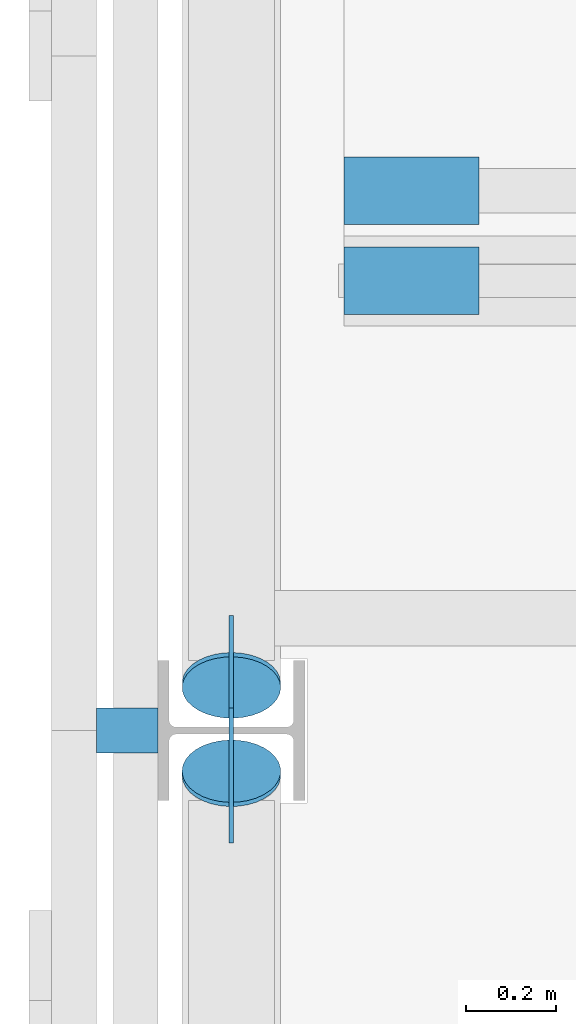
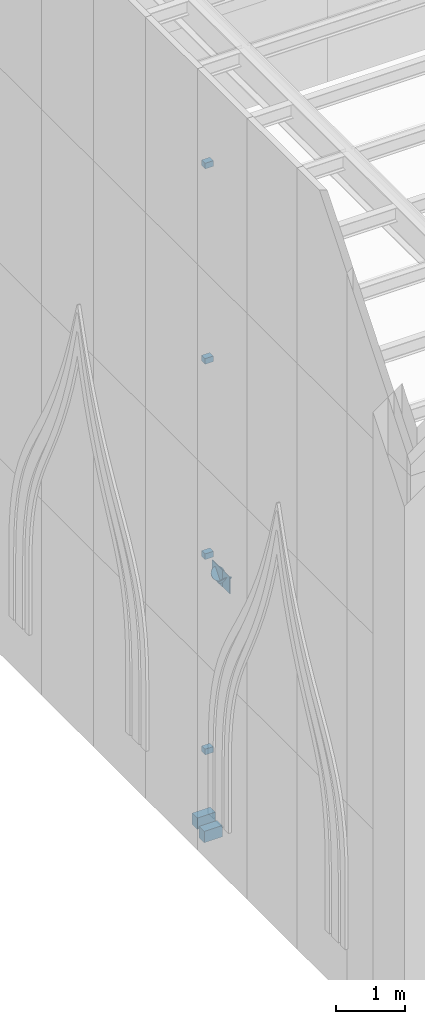
# One storey, part 18 of 43: 10 discrete accessories.
"""IFC4 building model written with IfcOpenShell, lengths in metres."""

from ifc_helpers import new_model, si_unit, direction, frame, origin, origin_2d, place, context, subcontext, project, spatial, rectangle, circle, extrude, material, material_profile, profile_set, type_object, element, save


model = new_model("IFC4")

# Units and contexts
model_context = context("Model", 3, precision=1e-05, world=origin(), true_north=direction((0.0, 1.0)))
body_context = subcontext(model_context, "Body", "Model", "MODEL_VIEW")
ifc_project = project(units=[si_unit("LENGTHUNIT", "METRE"), si_unit("AREAUNIT", "SQUARE_METRE"), si_unit("VOLUMEUNIT", "CUBIC_METRE"), si_unit("PLANEANGLEUNIT", "RADIAN"), si_unit("MASSUNIT", "GRAM", prefix="KILO")], contexts=[model_context])

# Site, building, storey
site_placement = place(None, origin())
site = spatial("IfcSite", under=ifc_project, at=site_placement, CompositionType="ELEMENT")
building_placement = place(site_placement, origin())
building = spatial("IfcBuilding", under=site, at=building_placement, Name="Saffron Lane Theatres", CompositionType="ELEMENT")
storey_placement = place(building_placement, frame((0.0, 0.0, 23.0)))
storey = spatial("IfcBuildingStorey", under=building, at=storey_placement, Name="Roof", CompositionType="ELEMENT", Elevation=23.0)

# Discrete accessories
ifc_material_1 = material(Name="Steel Grade 350", Category="steel")
ifc_material_profile_1 = material_profile(ifc_material_1, rectangle(XDim=0.300048828125, YDim=0.300048828125, at=origin_2d()))
ifc_profile_set_1 = profile_set([ifc_material_profile_1], Name="Steel Grade 350")
discrete_accessory_type_1 = type_object("IfcDiscreteAccessoryType", Name="ST-GUSSET CONNECTION PLATE", PredefinedType="BRACKET", material=ifc_profile_set_1)
for number, where, z_axis, x_axis, name in (
    (1, (18.2451171875, 35.900634765625, 4.766357421875), (1.0, 0.0, 0.0), (0.0, 1.0, 0.0), "GB138"),
    (2, (18.2451171875, 36.10546875, 4.764892578125), (1.0, 0.0, 0.0), (0.0, 1.0, 0.0), "GB142"),
):
    element("IfcDiscreteAccessory", number, at=place(storey_placement, frame(where, z_axis=z_axis, x_axis=x_axis)), inside=storey, type_object=discrete_accessory_type_1, Name=name, PredefinedType="BRACKET", context=body_context, shape_type="SweptSolid", body=[
        extrude(rectangle(XDim=0.300048828125, YDim=0.300048828125, at=origin_2d()), origin(), (0.0, 0.0, 1.0), 0.009765625),
    ])
ifc_material_2 = material(Name="Steel Grade 350", Category="steel")
ifc_material_profile_2 = material_profile(ifc_material_2, circle(Radius=0.109619140625, at=origin_2d()))
ifc_profile_set_2 = profile_set([ifc_material_profile_2], Name="Steel Grade 350")
discrete_accessory_type_2 = type_object("IfcDiscreteAccessoryType", Name="ST-STEEL END CAP 219.1x8.2 CHS", PredefinedType="ANCHORPLATE", material=ifc_profile_set_2)
discrete_accessory_1_placement = place(storey_placement, frame((18.25, 35.900634765625, 4.766357421875), z_axis=(0.0, 0.774865020772, 0.632126727472), x_axis=(-1.0, 0.0, 0.0)))
element("IfcDiscreteAccessory", 3, at=discrete_accessory_1_placement, inside=storey, type_object=discrete_accessory_type_2, Name="EC84", PredefinedType="ANCHORPLATE", context=body_context, shape_type="SweptSolid", body=[
    extrude(circle(Radius=0.109619140625, at=origin_2d()), origin(), (0.0, 0.0, 1.0), 0.011962890625),
])
discrete_accessory_2_placement = place(storey_placement, frame((18.25, 36.10546875, 4.764892578125), z_axis=(0.0, -0.782823254756, 0.622244125575), x_axis=(1.0, 0.0, 0.0)))
element("IfcDiscreteAccessory", 4, at=discrete_accessory_2_placement, inside=storey, type_object=discrete_accessory_type_2, Name="EC88", PredefinedType="ANCHORPLATE", context=body_context, shape_type="SweptSolid", body=[
    extrude(circle(Radius=0.109619140625, at=origin_2d()), origin(), (0.0, 0.0, 1.0), 0.01220703125),
])
for number, where, z_axis, x_axis, name in (
    (5, (18.64990234375, 37.0, -0.5615234375), (0.0, 0.0, 1.0), (1.0, 0.0, 0.0), "FKW23-1"),
    (6, (18.64990234375, 37.199951171875, -0.44775390625), (0.0, 0.0, 1.0), (1.0, 0.0, 0.0), "FKW23-2"),
):
    element("IfcDiscreteAccessory", number, at=place(storey_placement, frame(where, z_axis=z_axis, x_axis=x_axis)), inside=storey, Name=name, PredefinedType="BRACKET", context=body_context, shape_type="SweptSolid", body=[
        extrude(rectangle(XDim=0.300048828125, YDim=0.14990234375, at=origin_2d()), origin(), (0.0, 0.0, 1.0), 0.199951171875),
    ])
for number, where, z_axis, x_axis, name in (
    (7, (18.018310546875, 36.0, 1.768798828125), (0.0, 0.0, 1.0), (0.0, 1.0, 0.0), "Tower panel bracket 53"),
    (8, (18.018310546875, 36.0, 5.206298828125), (0.0, 0.0, 1.0), (0.0, 1.0, 0.0), "Tower panel bracket 54"),
    (9, (18.018310546875, 36.0, 8.643798828125), (0.0, 0.0, 1.0), (0.0, 1.0, 0.0), "Tower panel bracket 55"),
    (10, (18.018310546875, 36.0, 12.081298828125), (0.0, 0.0, 1.0), (0.0, 1.0, 0.0), "Tower panel bracket 56"),
):
    element("IfcDiscreteAccessory", number, at=place(storey_placement, frame(where, z_axis=z_axis, x_axis=x_axis)), inside=storey, Name=name, PredefinedType="BRACKET", context=body_context, shape_type="SweptSolid", body=[
        extrude(rectangle(XDim=0.10009765625, YDim=0.136474609375, at=origin_2d()), origin(), (0.0, 0.0, 1.0), 0.10009765625),
    ])

save(model, "model.ifc")
